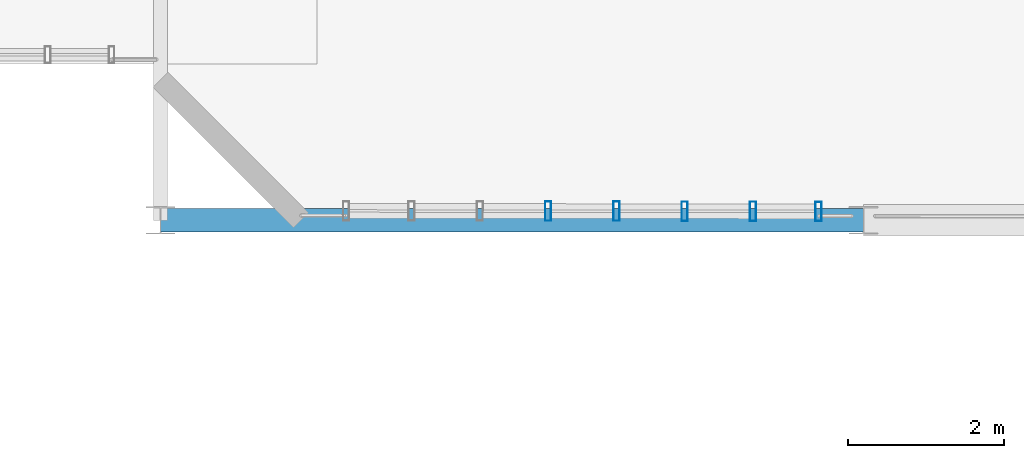
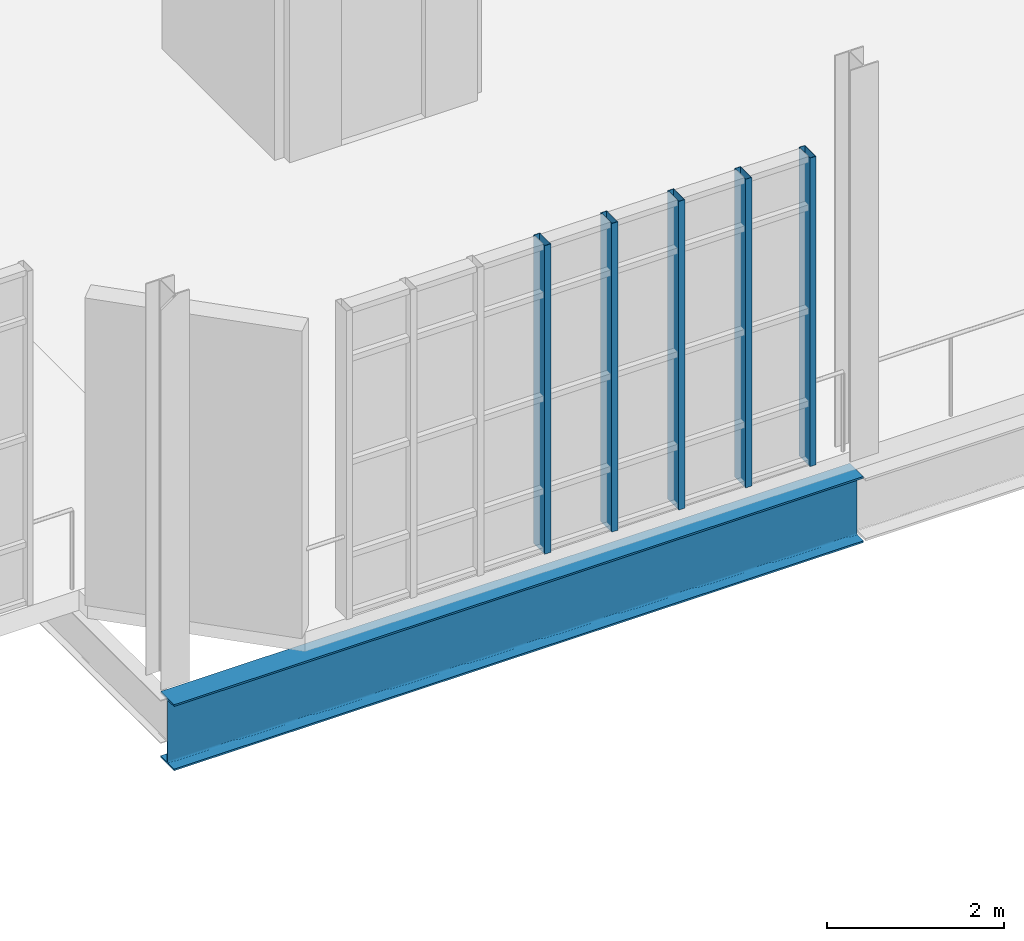
# One storey, part 23 of 142: 5 members, 1 beam, 1 element without a shape of its own.
"""IFC4 building model written with IfcOpenShell, lengths in metres."""

from ifc_helpers import new_model, si_unit, direction, frame, origin, origin_2d, place, context, subcontext, project, spatial, hollow_rectangle, i_section, extrude, material, layer, layer_set, material_profile, profile_set, type_object, element, aggregate, save


model = new_model("IFC4")

# Units and contexts
model_context = context("Model", 3, precision=1e-05, world=origin(), true_north=direction((0.0, 1.0)))
body_context = subcontext(model_context, "Body", "Model", "MODEL_VIEW")
ifc_project = project(units=[si_unit("LENGTHUNIT", "METRE"), si_unit("AREAUNIT", "SQUARE_METRE"), si_unit("VOLUMEUNIT", "CUBIC_METRE"), si_unit("PLANEANGLEUNIT", "RADIAN"), si_unit("MASSUNIT", "GRAM", prefix="KILO"), si_unit("THERMODYNAMICTEMPERATUREUNIT", "KELVIN"), si_unit("POWERUNIT", "WATT")], contexts=[model_context])

# Site, building, storey
site_placement = place(None, origin())
site = spatial("IfcSite", under=ifc_project, at=site_placement, CompositionType="ELEMENT")
building_placement = place(site_placement, origin())
building = spatial("IfcBuilding", under=site, at=building_placement, Name="Zelmaris Science Centre", CompositionType="ELEMENT")
storey_placement = place(building_placement, frame((0.0, 0.0, 5.39990234375)))
storey = spatial("IfcBuildingStorey", under=building, at=storey_placement, Name="L01", CompositionType="ELEMENT", Elevation=5.39990234375)

# Curtain wall, members
ifc_material_1 = material(Name="Anodised architectural aluminium 6063-T6", Category="aluminium")
ifc_layer = layer(ifc_material_1, 0.18994140625, Name="Anodised architectural aluminium 6063-T6")
ifc_layer_set = layer_set([ifc_layer], Name="Anodised architectural aluminium 6063-T6")
curtain_wall_type = type_object("IfcCurtainWallType", Name="Curtain Wall CW-01", PredefinedType="USERDEFINED", material=ifc_layer_set)
curtain_wall_placement = place(storey_placement, origin())
curtain_wall = element("IfcCurtainWall", 1, at=curtain_wall_placement, inside=storey, type_object=curtain_wall_type, Name="L01 Unitised curtain wall 197", ObjectType="GLAZED CURTAIN WALL", PredefinedType="USERDEFINED")
ifc_material_profile_1 = material_profile(ifc_material_1, hollow_rectangle(XDim=0.080078125, YDim=0.25, WallThickness=0.0048828125, at=origin_2d()), Name="ALU-MUL-80X250")
ifc_profile_set_1 = profile_set([ifc_material_profile_1], Name="Anodised architectural aluminium 6063-T6")
member_type = type_object("IfcMemberType", Name="ALU-MUL-80X250", PredefinedType="MULLION", material=ifc_profile_set_1)
member_1_placement = place(storey_placement, frame((62.424072265625, 64.114013671875, -0.014892578125), z_axis=(0.0, 0.0, 1.0), x_axis=(-0.999999576995, 0.000919788386, 0.0)))
member_1 = element("IfcMember", 2, at=member_1_placement, type_object=member_type, Name="CW-01 mullion 1", PredefinedType="MULLION", context=body_context, shape_type="SweptSolid", body=[
    extrude(hollow_rectangle(XDim=0.080078125, YDim=0.25, WallThickness=0.0048828125, at=origin_2d()), origin(), (0.0, 0.0, 1.0), 4.259033203125),
])
member_2_placement = place(storey_placement, frame((61.585693359375, 64.11474609375, -0.014892578125), z_axis=(0.0, 0.0, 1.0), x_axis=(-0.999999576995, 0.000919788386, 0.0)))
member_2 = element("IfcMember", 3, at=member_2_placement, type_object=member_type, Name="CW-01 mullion 2", PredefinedType="MULLION", context=body_context, shape_type="SweptSolid", body=[
    extrude(hollow_rectangle(XDim=0.080078125, YDim=0.25, WallThickness=0.0048828125, at=origin_2d()), origin(), (0.0, 0.0, 1.0), 4.259033203125),
])
member_3_placement = place(storey_placement, frame((60.71142578125, 64.115478515625, -0.014892578125), z_axis=(0.0, 0.0, 1.0), x_axis=(-0.999999576995, 0.000919788386, 0.0)))
member_3 = element("IfcMember", 4, at=member_3_placement, type_object=member_type, Name="CW-01 mullion 3", PredefinedType="MULLION", context=body_context, shape_type="SweptSolid", body=[
    extrude(hollow_rectangle(XDim=0.080078125, YDim=0.25, WallThickness=0.0048828125, at=origin_2d()), origin(), (0.0, 0.0, 1.0), 4.259033203125),
])
member_4_placement = place(storey_placement, frame((59.837158203125, 64.116455078125, -0.014892578125), z_axis=(0.0, 0.0, 1.0), x_axis=(-0.999999576995, 0.000919788386, 0.0)))
member_4 = element("IfcMember", 5, at=member_4_placement, type_object=member_type, Name="CW-01 mullion 4", PredefinedType="MULLION", context=body_context, shape_type="SweptSolid", body=[
    extrude(hollow_rectangle(XDim=0.080078125, YDim=0.25, WallThickness=0.0048828125, at=origin_2d()), origin(), (0.0, 0.0, 1.0), 4.259033203125),
])
member_5_placement = place(storey_placement, frame((58.962890625, 64.1171875, -0.014892578125), z_axis=(0.0, 0.0, 1.0), x_axis=(-0.999999576995, 0.000919788386, 0.0)))
member_5 = element("IfcMember", 6, at=member_5_placement, type_object=member_type, Name="CW-01 mullion 5", PredefinedType="MULLION", context=body_context, shape_type="SweptSolid", body=[
    extrude(hollow_rectangle(XDim=0.080078125, YDim=0.25, WallThickness=0.0048828125, at=origin_2d()), origin(), (0.0, 0.0, 1.0), 4.259033203125),
])
aggregate(curtain_wall, [member_1, member_2, member_3, member_4, member_5])

# Beam
ifc_material_2 = material(Name="Steel ASTM A992 Grade 50", Category="steel")
ifc_material_profile_2 = material_profile(ifc_material_2, i_section(OverallWidth=0.304931640625, OverallDepth=0.912109375, WebThickness=0.015869140625, FlangeThickness=0.02392578125, FilletRadius=0.02392578125, at=origin_2d()), Name="W36X150")
ifc_profile_set_2 = profile_set([ifc_material_profile_2], Name="Steel ASTM A992 Grade 50")
beam_type = type_object("IfcBeamType", Name="Beam G-27 W36X150", PredefinedType="BEAM", material=ifc_profile_set_2)
beam_placement = place(storey_placement, frame((54.0, 64.0, -0.73583984375), z_axis=(1.0, 0.0, 0.0), x_axis=(0.0, 1.0, 0.0)))
element("IfcBeam", 7, at=beam_placement, inside=storey, type_object=beam_type, Name="L01 East-west girder 388", PredefinedType="BEAM", context=body_context, shape_type="SweptSolid", body=[
    extrude(i_section(OverallWidth=0.304931640625, OverallDepth=0.912109375, WebThickness=0.015869140625, FlangeThickness=0.02392578125, FilletRadius=0.02392578125, at=origin_2d()), origin(), (0.0, 0.0, 1.0), 9.0),
])

save(model, "model.ifc")
